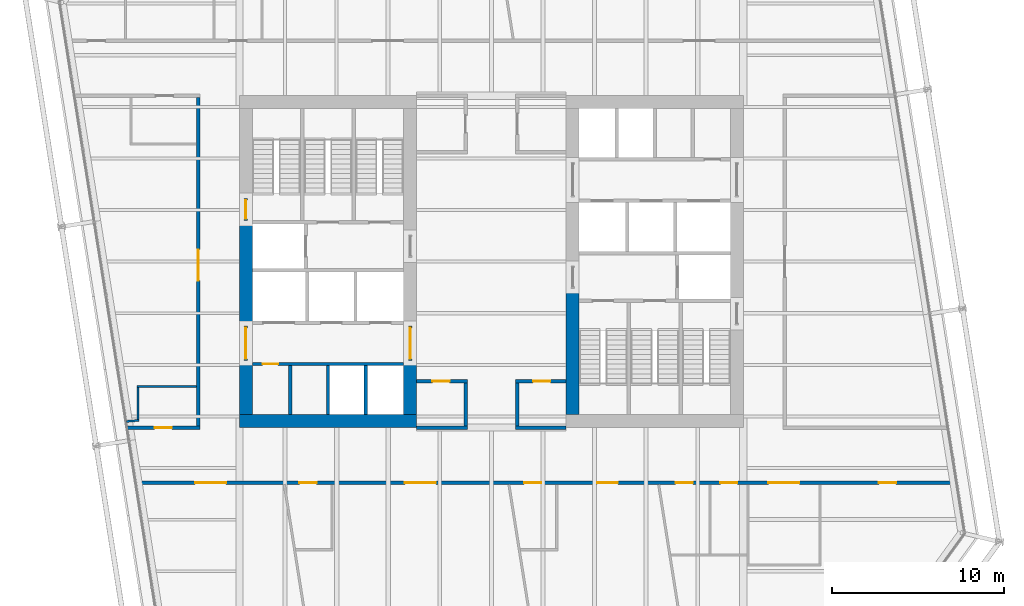
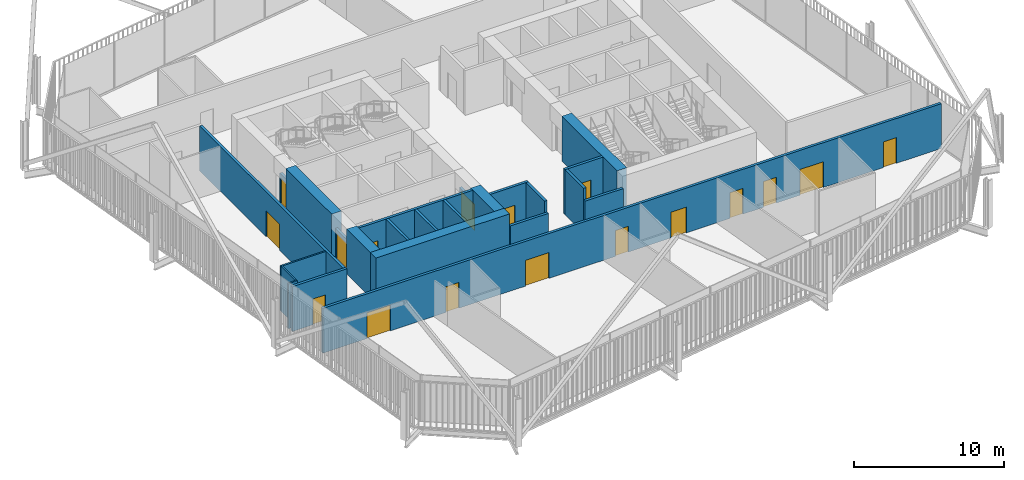
# One storey, part 18 of 22: 24 walls, 17 doors, 17 openings.
"""IFC4 building model written with IfcOpenShell, lengths in metres."""

from ifc_helpers import new_model, si_unit, direction, frame, frame_2d, origin, place, context, subcontext, project, spatial, rectangle, extrude, material, layer, layer_set, type_object, element, fill, save


model = new_model("IFC4")

# Units and contexts
model_context = context("Model", 3, precision=1e-05, world=origin(), true_north=direction((0.0, 1.0)))
body_context = subcontext(model_context, "Body", "Model", "MODEL_VIEW")
ifc_project = project(units=[si_unit("LENGTHUNIT", "METRE"), si_unit("AREAUNIT", "SQUARE_METRE"), si_unit("VOLUMEUNIT", "CUBIC_METRE"), si_unit("PLANEANGLEUNIT", "RADIAN"), si_unit("MASSUNIT", "GRAM", prefix="KILO")], contexts=[model_context])

# Site, building, storey
site_placement = place(None, origin())
site = spatial("IfcSite", under=ifc_project, at=site_placement, CompositionType="ELEMENT")
building_placement = place(site_placement, origin())
building = spatial("IfcBuilding", under=site, at=building_placement, Name="Millrace Tower", CompositionType="ELEMENT")
storey_placement = place(building_placement, frame((0.0, 0.0, 168.5)))
storey = spatial("IfcBuildingStorey", under=building, at=storey_placement, Name="L38", CompositionType="ELEMENT", Elevation=168.5)

# Walls
ifc_material_1 = material(Name="Concrete C70", Category="concrete")
ifc_layer_1 = layer(ifc_material_1, 0.75)
ifc_layer_set_1 = layer_set([ifc_layer_1], Name="Concrete C70")
wall_type_1 = type_object("IfcWallType", Name="Core wall 750 Concrete C70", PredefinedType="SHEAR", material=ifc_layer_set_1)
wall_1_placement = place(storey_placement, frame((-14.64990234375, -9.27490234375, 0.0), z_axis=(0.0, 0.0, 1.0), x_axis=(1.0, 0.0, 0.0)))
element("IfcWall", 1, at=wall_1_placement, inside=storey, type_object=wall_type_1, Name="Core wall W L38", PredefinedType="SHEAR", context=body_context, shape_type="SweptSolid", body=[
    extrude(rectangle(XDim=10.2998046875, YDim=0.75, at=frame_2d((5.14990234375, 0.0))), origin(), (0.0, 0.0, 1.0), 3.64990234375),
])
wall_2_placement = place(storey_placement, frame((-14.27490234375, -8.89990234375, 0.0), z_axis=(0.0, 0.0, 1.0), x_axis=(0.0, 1.0, 0.0)))
element("IfcWall", 2, at=wall_2_placement, inside=storey, type_object=wall_type_1, Name="Core wall W L38", PredefinedType="SHEAR", context=body_context, shape_type="SweptSolid", body=[
    extrude(rectangle(XDim=3.14990234375, YDim=0.75, at=frame_2d((1.574951171875, 0.0))), origin(), (0.0, 0.0, 1.0), 3.64990234375),
])
wall_3_placement = place(storey_placement, frame((-14.27490234375, -3.75, 0.0), z_axis=(0.0, 0.0, 1.0), x_axis=(0.0, 1.0, 0.0)))
element("IfcWall", 3, at=wall_3_placement, inside=storey, type_object=wall_type_1, Name="Core wall W L38", PredefinedType="SHEAR", context=body_context, shape_type="SweptSolid", body=[
    extrude(rectangle(XDim=6.1298828125, YDim=0.75, at=frame_2d((3.06494140625, 0.0))), origin(), (0.0, 0.0, 1.0), 3.64990234375),
])
wall_4_placement = place(storey_placement, frame((-4.72509765625, -8.89990234375, 0.0), z_axis=(0.0, 0.0, 1.0), x_axis=(0.0, 1.0, 0.0)))
element("IfcWall", 4, at=wall_4_placement, inside=storey, type_object=wall_type_1, Name="Core wall W L38", PredefinedType="SHEAR", context=body_context, shape_type="SweptSolid", body=[
    extrude(rectangle(XDim=3.14990234375, YDim=0.75, at=frame_2d((1.574951171875, 0.0))), origin(), (0.0, 0.0, 1.0), 3.64990234375),
])
wall_5_placement = place(storey_placement, frame((4.72509765625, -1.550048828125, 0.0), z_axis=(0.0, 0.0, 1.0), x_axis=(0.0, -1.0, 0.0)))
element("IfcWall", 5, at=wall_5_placement, inside=storey, type_object=wall_type_1, Name="Core wall E L38", PredefinedType="SHEAR", context=body_context, shape_type="SweptSolid", body=[
    extrude(rectangle(XDim=7.349853515625, YDim=0.75, at=frame_2d((3.6748046875, 0.0))), origin(), (0.0, 0.0, 1.0), 3.64990234375),
])

# Wall, openings, doors
ifc_material_2 = material(Name="Masonry partition, fire-rated", Category="masonry")
ifc_layer_2 = layer(ifc_material_2, 0.199951171875)
ifc_layer_set_2 = layer_set([ifc_layer_2], Name="Masonry partition, fire-rated")
wall_type_2 = type_object("IfcWallType", Name="Corridor wall 200", PredefinedType="PARTITIONING", material=ifc_layer_set_2)
wall_6_placement = place(storey_placement, frame((-20.6435546875, -12.85009765625, 0.0), z_axis=(0.0, 0.0, 1.0), x_axis=(1.0, 0.0, 0.0)))
wall_6 = element("IfcWall", 6, at=wall_6_placement, inside=storey, type_object=wall_type_2, Name="Corridor wall L38", PredefinedType="PARTITIONING", context=body_context, shape_type="SweptSolid", body=[
    extrude(rectangle(XDim=47.646728515625, YDim=0.199951171875, at=frame_2d((23.8232421875, 0.0))), origin(), (0.0, 0.0, 1.0), 3.64990234375),
])
opening_1_placement = place(wall_6_placement, frame((3.41796875, 0.0, 0.0)))
opening_1 = element("IfcOpeningElement", 7, at=opening_1_placement, cuts=wall_6, Name="Opening 38-P010", PredefinedType="OPENING", context=body_context, shape_type="SweptSolid", body=[
    extrude(rectangle(XDim=1.800048828125, YDim=2.10009765625, at=frame_2d((0.89990234375, 1.050048828125))), frame((0.0, 0.10986328125, 0.0), z_axis=(0.0, -1.0, 0.0), x_axis=(1.0, 0.0, 0.0)), (0.0, 0.0, 1.0), 0.219970703125),
])
opening_2_placement = place(wall_6_placement, frame((15.615966796875, 0.0, 0.0)))
opening_2 = element("IfcOpeningElement", 8, at=opening_2_placement, cuts=wall_6, Name="Opening 38-P011", PredefinedType="OPENING", context=body_context, shape_type="SweptSolid", body=[
    extrude(rectangle(XDim=1.800048828125, YDim=2.10009765625, at=frame_2d((0.89990234375, 1.050048828125))), frame((0.0, 0.10986328125, 0.0), z_axis=(0.0, -1.0, 0.0), x_axis=(1.0, 0.0, 0.0)), (0.0, 0.0, 1.0), 0.219970703125),
])
opening_3_placement = place(wall_6_placement, frame((9.485595703125, 0.0, 0.0)))
opening_3 = element("IfcOpeningElement", 9, at=opening_3_placement, cuts=wall_6, Name="Opening 38-P012", PredefinedType="OPENING", context=body_context, shape_type="SweptSolid", body=[
    extrude(rectangle(XDim=1.0, YDim=2.10009765625, at=frame_2d((0.5, 1.050048828125))), frame((0.0, 0.10986328125, 0.0), z_axis=(0.0, -1.0, 0.0), x_axis=(1.0, 0.0, 0.0)), (0.0, 0.0, 1.0), 0.219970703125),
])
opening_4_placement = place(wall_6_placement, frame((26.800048828125, 0.0, 0.0)))
opening_4 = element("IfcOpeningElement", 10, at=opening_4_placement, cuts=wall_6, Name="Opening 38-P013", PredefinedType="OPENING", context=body_context, shape_type="SweptSolid", body=[
    extrude(rectangle(XDim=1.199951171875, YDim=2.10009765625, at=frame_2d((0.60009765625, 1.050048828125))), frame((0.0, 0.10986328125, 0.0), z_axis=(0.0, -1.0, 0.0), x_axis=(1.0, 0.0, 0.0)), (0.0, 0.0, 1.0), 0.219970703125),
])
opening_5_placement = place(wall_6_placement, frame((22.54638671875, 0.0, 0.0)))
opening_5 = element("IfcOpeningElement", 11, at=opening_5_placement, cuts=wall_6, Name="Opening 38-P014", PredefinedType="OPENING", context=body_context, shape_type="SweptSolid", body=[
    extrude(rectangle(XDim=1.0, YDim=2.10009765625, at=frame_2d((0.5, 1.050048828125))), frame((0.0, 0.10986328125, 0.0), z_axis=(0.0, -1.0, 0.0), x_axis=(1.0, 0.0, 0.0)), (0.0, 0.0, 1.0), 0.219970703125),
])
opening_6_placement = place(wall_6_placement, frame((43.174560546875, 0.0, 0.0)))
opening_6 = element("IfcOpeningElement", 12, at=opening_6_placement, cuts=wall_6, Name="Opening 38-P015", PredefinedType="OPENING", context=body_context, shape_type="SweptSolid", body=[
    extrude(rectangle(XDim=1.0, YDim=2.10009765625, at=frame_2d((0.5, 1.050048828125))), frame((0.0, 0.10986328125, 0.0), z_axis=(0.0, -1.0, 0.0), x_axis=(1.0, 0.0, 0.0)), (0.0, 0.0, 1.0), 0.219970703125),
])
opening_7_placement = place(wall_6_placement, frame((31.353515625, 0.0, 0.0)))
opening_7 = element("IfcOpeningElement", 13, at=opening_7_placement, cuts=wall_6, Name="Opening 38-P016", PredefinedType="OPENING", context=body_context, shape_type="SweptSolid", body=[
    extrude(rectangle(XDim=1.0, YDim=2.10009765625, at=frame_2d((0.5, 1.050048828125))), frame((0.0, 0.10986328125, 0.0), z_axis=(0.0, -1.0, 0.0), x_axis=(1.0, 0.0, 0.0)), (0.0, 0.0, 1.0), 0.219970703125),
])
opening_8_placement = place(wall_6_placement, frame((33.95361328125, 0.0, 0.0)))
opening_8 = element("IfcOpeningElement", 14, at=opening_8_placement, cuts=wall_6, Name="Opening 38-P017", PredefinedType="OPENING", context=body_context, shape_type="SweptSolid", body=[
    extrude(rectangle(XDim=1.0, YDim=2.10009765625, at=frame_2d((0.5, 1.050048828125))), frame((0.0, 0.10986328125, 0.0), z_axis=(0.0, -1.0, 0.0), x_axis=(1.0, 0.0, 0.0)), (0.0, 0.0, 1.0), 0.219970703125),
])
opening_9_placement = place(wall_6_placement, frame((36.75341796875, 0.0, 0.0)))
opening_9 = element("IfcOpeningElement", 15, at=opening_9_placement, cuts=wall_6, Name="Opening 38-P018", PredefinedType="OPENING", context=body_context, shape_type="SweptSolid", body=[
    extrude(rectangle(XDim=1.800048828125, YDim=2.10009765625, at=frame_2d((0.89990234375, 1.050048828125))), frame((0.0, 0.10986328125, 0.0), z_axis=(0.0, -1.0, 0.0), x_axis=(1.0, 0.0, 0.0)), (0.0, 0.0, 1.0), 0.219970703125),
])
ifc_material_3 = material(Name="Steel door set, fire-rated", Category="steel")
door_type_1 = type_object("IfcDoorType", Name="Corridor door 1000 x 2100", OperationType="SINGLE_SWING_LEFT", PredefinedType="DOOR", material=ifc_material_3)
door_1_placement = place(opening_3_placement, frame((1.0, 0.0, 0.0), z_axis=(0.0, 0.0, 1.0), x_axis=(-1.0, 0.0, 0.0)))
door_1 = element("IfcDoor", 16, at=door_1_placement, inside=storey, type_object=door_type_1, Name="Door 38-P012", OperationType="SINGLE_SWING_RIGHT", OverallHeight=2.10009765625, OverallWidth=1.0, PredefinedType="DOOR", context=body_context, shape_type="SweptSolid", body=[
    extrude(rectangle(XDim=1.0, YDim=2.10009765625, at=frame_2d((0.5, 1.050048828125))), frame((0.0, 0.02490234375, 0.0), z_axis=(0.0, -1.0, 0.0), x_axis=(1.0, 0.0, 0.0)), (0.0, 0.0, 1.0), 0.050048828125),
])
fill(opening_3, door_1)
door_2_placement = place(opening_5_placement, frame((1.0, 0.0, 0.0), z_axis=(0.0, 0.0, 1.0), x_axis=(-1.0, 0.0, 0.0)))
door_2 = element("IfcDoor", 17, at=door_2_placement, inside=storey, type_object=door_type_1, Name="Door 38-P014", OperationType="SINGLE_SWING_RIGHT", OverallHeight=2.10009765625, OverallWidth=1.0, PredefinedType="DOOR", context=body_context, shape_type="SweptSolid", body=[
    extrude(rectangle(XDim=1.0, YDim=2.10009765625, at=frame_2d((0.5, 1.050048828125))), frame((0.0, 0.02490234375, 0.0), z_axis=(0.0, -1.0, 0.0), x_axis=(1.0, 0.0, 0.0)), (0.0, 0.0, 1.0), 0.050048828125),
])
fill(opening_5, door_2)
door_3_placement = place(opening_6_placement, frame((1.0, 0.0, 0.0), z_axis=(0.0, 0.0, 1.0), x_axis=(-1.0, 0.0, 0.0)))
door_3 = element("IfcDoor", 18, at=door_3_placement, inside=storey, type_object=door_type_1, Name="Door 38-P015", OperationType="SINGLE_SWING_LEFT", OverallHeight=2.10009765625, OverallWidth=1.0, PredefinedType="DOOR", context=body_context, shape_type="SweptSolid", body=[
    extrude(rectangle(XDim=1.0, YDim=2.10009765625, at=frame_2d((0.5, 1.050048828125))), frame((0.0, 0.02490234375, 0.0), z_axis=(0.0, -1.0, 0.0), x_axis=(1.0, 0.0, 0.0)), (0.0, 0.0, 1.0), 0.050048828125),
])
fill(opening_6, door_3)
door_4_placement = place(opening_7_placement, frame((1.0, 0.0, 0.0), z_axis=(0.0, 0.0, 1.0), x_axis=(-1.0, 0.0, 0.0)))
door_4 = element("IfcDoor", 19, at=door_4_placement, inside=storey, type_object=door_type_1, Name="Door 38-P016", OperationType="SINGLE_SWING_LEFT", OverallHeight=2.10009765625, OverallWidth=1.0, PredefinedType="DOOR", context=body_context, shape_type="SweptSolid", body=[
    extrude(rectangle(XDim=1.0, YDim=2.10009765625, at=frame_2d((0.5, 1.050048828125))), frame((0.0, 0.02490234375, 0.0), z_axis=(0.0, -1.0, 0.0), x_axis=(1.0, 0.0, 0.0)), (0.0, 0.0, 1.0), 0.050048828125),
])
fill(opening_7, door_4)
door_5_placement = place(opening_8_placement, frame((1.0, 0.0, 0.0), z_axis=(0.0, 0.0, 1.0), x_axis=(-1.0, 0.0, 0.0)))
door_5 = element("IfcDoor", 20, at=door_5_placement, inside=storey, type_object=door_type_1, Name="Door 38-P017", OperationType="SINGLE_SWING_LEFT", OverallHeight=2.10009765625, OverallWidth=1.0, PredefinedType="DOOR", context=body_context, shape_type="SweptSolid", body=[
    extrude(rectangle(XDim=1.0, YDim=2.10009765625, at=frame_2d((0.5, 1.050048828125))), frame((0.0, 0.02490234375, 0.0), z_axis=(0.0, -1.0, 0.0), x_axis=(1.0, 0.0, 0.0)), (0.0, 0.0, 1.0), 0.050048828125),
])
fill(opening_8, door_5)
ifc_material_4 = material(Name="Steel door set, fire-rated", Category="steel")
door_type_2 = type_object("IfcDoorType", Name="Corridor door 1200 x 2100", OperationType="SINGLE_SWING_LEFT", PredefinedType="DOOR", material=ifc_material_4)
door_6_placement = place(opening_4_placement, frame((1.199951171875, 0.0, 0.0), z_axis=(0.0, 0.0, 1.0), x_axis=(-1.0, 0.0, 0.0)))
door_6 = element("IfcDoor", 21, at=door_6_placement, inside=storey, type_object=door_type_2, Name="Door 38-P013", OperationType="SINGLE_SWING_LEFT", OverallHeight=2.10009765625, OverallWidth=1.199951171875, PredefinedType="DOOR", context=body_context, shape_type="SweptSolid", body=[
    extrude(rectangle(XDim=1.199951171875, YDim=2.10009765625, at=frame_2d((0.60009765625, 1.050048828125))), frame((0.0, 0.02490234375, 0.0), z_axis=(0.0, -1.0, 0.0), x_axis=(1.0, 0.0, 0.0)), (0.0, 0.0, 1.0), 0.050048828125),
])
fill(opening_4, door_6)
ifc_material_5 = material(Name="Steel door set, fire-rated", Category="steel")
door_type_3 = type_object("IfcDoorType", Name="Corridor door 1800 x 2100", OperationType="DOUBLE_DOOR_SINGLE_SWING", PredefinedType="DOOR", material=ifc_material_5)
door_7_placement = place(opening_1_placement, frame((1.800048828125, 0.0, 0.0), z_axis=(0.0, 0.0, 1.0), x_axis=(-1.0, 0.0, 0.0)))
door_7 = element("IfcDoor", 22, at=door_7_placement, inside=storey, type_object=door_type_3, Name="Door 38-P010", OperationType="DOUBLE_DOOR_SINGLE_SWING", OverallHeight=2.10009765625, OverallWidth=1.800048828125, PredefinedType="DOOR", context=body_context, shape_type="SweptSolid", body=[
    extrude(rectangle(XDim=1.800048828125, YDim=2.10009765625, at=frame_2d((0.89990234375, 1.050048828125))), frame((0.0, 0.02490234375, 0.0), z_axis=(0.0, -1.0, 0.0), x_axis=(1.0, 0.0, 0.0)), (0.0, 0.0, 1.0), 0.050048828125),
])
fill(opening_1, door_7)
door_8_placement = place(opening_2_placement, frame((1.800048828125, 0.0, 0.0), z_axis=(0.0, 0.0, 1.0), x_axis=(-1.0, 0.0, 0.0)))
door_8 = element("IfcDoor", 23, at=door_8_placement, inside=storey, type_object=door_type_3, Name="Door 38-P011", OperationType="DOUBLE_DOOR_SINGLE_SWING", OverallHeight=2.10009765625, OverallWidth=1.800048828125, PredefinedType="DOOR", context=body_context, shape_type="SweptSolid", body=[
    extrude(rectangle(XDim=1.800048828125, YDim=2.10009765625, at=frame_2d((0.89990234375, 1.050048828125))), frame((0.0, 0.02490234375, 0.0), z_axis=(0.0, -1.0, 0.0), x_axis=(1.0, 0.0, 0.0)), (0.0, 0.0, 1.0), 0.050048828125),
])
fill(opening_2, door_8)
door_9_placement = place(opening_9_placement, frame((1.800048828125, 0.0, 0.0), z_axis=(0.0, 0.0, 1.0), x_axis=(-1.0, 0.0, 0.0)))
door_9 = element("IfcDoor", 24, at=door_9_placement, inside=storey, type_object=door_type_3, Name="Door 38-P018", OperationType="DOUBLE_DOOR_SINGLE_SWING", OverallHeight=2.10009765625, OverallWidth=1.800048828125, PredefinedType="DOOR", context=body_context, shape_type="SweptSolid", body=[
    extrude(rectangle(XDim=1.800048828125, YDim=2.10009765625, at=frame_2d((0.89990234375, 1.050048828125))), frame((0.0, 0.02490234375, 0.0), z_axis=(0.0, -1.0, 0.0), x_axis=(1.0, 0.0, 0.0)), (0.0, 0.0, 1.0), 0.050048828125),
])
fill(opening_9, door_9)

# Wall, opening, door
wall_7_placement = place(storey_placement, frame((-21.150390625, -9.64990234375, 0.0), z_axis=(0.0, 0.0, 1.0), x_axis=(1.0, 0.0, 0.0)))
wall_7 = element("IfcWall", 25, at=wall_7_placement, inside=storey, type_object=wall_type_2, Name="Corridor wall L38", PredefinedType="PARTITIONING", context=body_context, shape_type="SweptSolid", body=[
    extrude(rectangle(XDim=4.200439453125, YDim=0.199951171875, at=frame_2d((2.10009765625, 0.0))), origin(), (0.0, 0.0, 1.0), 3.64990234375),
])
opening_10_placement = place(wall_7_placement, frame((1.575439453125, 0.0, 0.0)))
opening_10 = element("IfcOpeningElement", 26, at=opening_10_placement, cuts=wall_7, Name="Opening 38-P019", PredefinedType="OPENING", context=body_context, shape_type="SweptSolid", body=[
    extrude(rectangle(XDim=1.0, YDim=2.10009765625, at=frame_2d((0.5, 1.050048828125))), frame((0.0, 0.10986328125, 0.0), z_axis=(0.0, -1.0, 0.0), x_axis=(1.0, 0.0, 0.0)), (0.0, 0.0, 1.0), 0.219970703125),
])
door_10_placement = place(opening_10_placement, origin())
door_10 = element("IfcDoor", 27, at=door_10_placement, inside=storey, type_object=door_type_1, Name="Door 38-P019", OperationType="SINGLE_SWING_RIGHT", OverallHeight=2.10009765625, OverallWidth=1.0, PredefinedType="DOOR", context=body_context, shape_type="SweptSolid", body=[
    extrude(rectangle(XDim=1.0, YDim=2.10009765625, at=frame_2d((0.5, 1.050048828125))), frame((0.0, 0.02490234375, 0.0), z_axis=(0.0, -1.0, 0.0), x_axis=(1.0, 0.0, 0.0)), (0.0, 0.0, 1.0), 0.050048828125),
])
fill(opening_10, door_10)

# Walls
for number, where, z_axis, x_axis, name in (
    (28, (-4.35009765625, -9.64990234375, 0.0), (0.0, 0.0, 1.0), (1.0, 0.0, 0.0), "Corridor wall L38"),
    (29, (1.39990234375, -9.64990234375, 0.0), (0.0, 0.0, 1.0), (1.0, 0.0, 0.0), "Corridor wall L38"),
):
    element("IfcWall", number, at=place(storey_placement, frame(where, z_axis=z_axis, x_axis=x_axis)), inside=storey, type_object=wall_type_2, Name=name, PredefinedType="PARTITIONING", context=body_context, shape_type="SweptSolid", body=[
        extrude(rectangle(XDim=2.9501953125, YDim=0.199951171875, at=frame_2d((1.47509765625, 0.0))), origin(), (0.0, 0.0, 1.0), 2.722900390625),
    ])

# Wall, opening, door
wall_8_placement = place(storey_placement, frame((-4.35009765625, -6.949951171875, 0.0), z_axis=(0.0, 0.0, 1.0), x_axis=(1.0, 0.0, 0.0)))
wall_8 = element("IfcWall", 30, at=wall_8_placement, inside=storey, type_object=wall_type_2, Name="Corridor wall L38", PredefinedType="PARTITIONING", context=body_context, shape_type="SweptSolid", body=[
    extrude(rectangle(XDim=2.9501953125, YDim=0.199951171875, at=frame_2d((1.47509765625, 0.0))), origin(), (0.0, 0.0, 1.0), 3.64990234375),
])
opening_11_placement = place(wall_8_placement, frame((0.925048828125, 0.0, 0.0)))
opening_11 = element("IfcOpeningElement", 31, at=opening_11_placement, cuts=wall_8, Name="Opening 38-P003", PredefinedType="OPENING", context=body_context, shape_type="SweptSolid", body=[
    extrude(rectangle(XDim=1.0, YDim=2.10009765625, at=frame_2d((0.5, 1.050048828125))), frame((0.0, 0.10986328125, 0.0), z_axis=(0.0, -1.0, 0.0), x_axis=(1.0, 0.0, 0.0)), (0.0, 0.0, 1.0), 0.219970703125),
])
door_11_placement = place(opening_11_placement, frame((1.0, 0.0, 0.0), z_axis=(0.0, 0.0, 1.0), x_axis=(-1.0, 0.0, 0.0)))
door_11 = element("IfcDoor", 32, at=door_11_placement, inside=storey, type_object=door_type_1, Name="Door 38-P003", OperationType="SINGLE_SWING_RIGHT", OverallHeight=2.10009765625, OverallWidth=1.0, PredefinedType="DOOR", context=body_context, shape_type="SweptSolid", body=[
    extrude(rectangle(XDim=1.0, YDim=2.10009765625, at=frame_2d((0.5, 1.050048828125))), frame((0.0, 0.02490234375, 0.0), z_axis=(0.0, -1.0, 0.0), x_axis=(1.0, 0.0, 0.0)), (0.0, 0.0, 1.0), 0.050048828125),
])
fill(opening_11, door_11)

wall_9_placement = place(storey_placement, frame((1.39990234375, -6.949951171875, 0.0), z_axis=(0.0, 0.0, 1.0), x_axis=(1.0, 0.0, 0.0)))
wall_9 = element("IfcWall", 33, at=wall_9_placement, inside=storey, type_object=wall_type_2, Name="Corridor wall L38", PredefinedType="PARTITIONING", context=body_context, shape_type="SweptSolid", body=[
    extrude(rectangle(XDim=2.9501953125, YDim=0.199951171875, at=frame_2d((1.47509765625, 0.0))), origin(), (0.0, 0.0, 1.0), 3.64990234375),
])
opening_12_placement = place(wall_9_placement, frame((1.02490234375, 0.0, 0.0)))
opening_12 = element("IfcOpeningElement", 34, at=opening_12_placement, cuts=wall_9, Name="Opening 38-P004", PredefinedType="OPENING", context=body_context, shape_type="SweptSolid", body=[
    extrude(rectangle(XDim=1.0, YDim=2.10009765625, at=frame_2d((0.5, 1.050048828125))), frame((0.0, 0.10986328125, 0.0), z_axis=(0.0, -1.0, 0.0), x_axis=(1.0, 0.0, 0.0)), (0.0, 0.0, 1.0), 0.219970703125),
])
door_12_placement = place(opening_12_placement, frame((1.0, 0.0, 0.0), z_axis=(0.0, 0.0, 1.0), x_axis=(-1.0, 0.0, 0.0)))
door_12 = element("IfcDoor", 35, at=door_12_placement, inside=storey, type_object=door_type_1, Name="Door 38-P004", OperationType="SINGLE_SWING_RIGHT", OverallHeight=2.10009765625, OverallWidth=1.0, PredefinedType="DOOR", context=body_context, shape_type="SweptSolid", body=[
    extrude(rectangle(XDim=1.0, YDim=2.10009765625, at=frame_2d((0.5, 1.050048828125))), frame((0.0, 0.02490234375, 0.0), z_axis=(0.0, -1.0, 0.0), x_axis=(1.0, 0.0, 0.0)), (0.0, 0.0, 1.0), 0.050048828125),
])
fill(opening_12, door_12)

# Walls
for number, where, z_axis, x_axis, name in (
    (36, (1.5, -9.550048828125, 0.0), (0.0, 0.0, 1.0), (0.0, 1.0, 0.0), "Corridor wall L38"),
    (37, (-1.5, -9.550048828125, 0.0), (0.0, 0.0, 1.0), (0.0, 1.0, 0.0), "Corridor wall L38"),
):
    element("IfcWall", number, at=place(storey_placement, frame(where, z_axis=z_axis, x_axis=x_axis)), inside=storey, type_object=wall_type_2, Name=name, PredefinedType="PARTITIONING", context=body_context, shape_type="SweptSolid", body=[
        extrude(rectangle(XDim=2.5, YDim=0.199951171875, at=frame_2d((1.25, 0.0))), origin(), (0.0, 0.0, 1.0), 3.64990234375),
    ])

# Wall, opening, door
wall_10_placement = place(storey_placement, frame((-17.050048828125, -9.550048828125, 0.0), z_axis=(0.0, 0.0, 1.0), x_axis=(0.0, 1.0, 0.0)))
wall_10 = element("IfcWall", 38, at=wall_10_placement, inside=storey, type_object=wall_type_2, Name="Corridor wall L38", PredefinedType="PARTITIONING", context=body_context, shape_type="SweptSolid", body=[
    extrude(rectangle(XDim=19.10009765625, YDim=0.199951171875, at=frame_2d((9.550048828125, 0.0))), origin(), (0.0, 0.0, 1.0), 3.64990234375),
])
opening_13_placement = place(wall_10_placement, frame((8.449951171875, 0.0, 0.0)))
opening_13 = element("IfcOpeningElement", 39, at=opening_13_placement, cuts=wall_10, Name="Opening 38-P020", PredefinedType="OPENING", context=body_context, shape_type="SweptSolid", body=[
    extrude(rectangle(XDim=1.800048828125, YDim=2.10009765625, at=frame_2d((0.89990234375, 1.050048828125))), frame((0.0, 0.10986328125, 0.0), z_axis=(0.0, -1.0, 0.0), x_axis=(1.0, 0.0, 0.0)), (0.0, 0.0, 1.0), 0.219970703125),
])
door_13_placement = place(opening_13_placement, origin())
door_13 = element("IfcDoor", 40, at=door_13_placement, inside=storey, type_object=door_type_3, Name="Door 38-P020", OperationType="DOUBLE_DOOR_SINGLE_SWING", OverallHeight=2.10009765625, OverallWidth=1.800048828125, PredefinedType="DOOR", context=body_context, shape_type="SweptSolid", body=[
    extrude(rectangle(XDim=1.800048828125, YDim=2.10009765625, at=frame_2d((0.89990234375, 1.050048828125))), frame((0.0, 0.02490234375, 0.0), z_axis=(0.0, -1.0, 0.0), x_axis=(1.0, 0.0, 0.0)), (0.0, 0.0, 1.0), 0.050048828125),
])
fill(opening_13, door_13)

ifc_material_6 = material(Name="Masonry partition, fire-rated", Category="masonry")
ifc_layer_3 = layer(ifc_material_6, 0.199951171875)
ifc_layer_set_3 = layer_set([ifc_layer_3], Name="Masonry partition, fire-rated")
wall_type_3 = type_object("IfcWallType", Name="Lift shaft wall 200", PredefinedType="PARTITIONING", material=ifc_layer_set_3)
wall_11_placement = place(storey_placement, frame((-13.89990234375, -5.949951171875, 0.0), z_axis=(0.0, 0.0, 1.0), x_axis=(1.0, 0.0, 0.0)))
wall_11 = element("IfcWall", 41, at=wall_11_placement, inside=storey, type_object=wall_type_3, Name="Lift shaft wall W L38", PredefinedType="PARTITIONING", context=body_context, shape_type="SweptSolid", body=[
    extrude(rectangle(XDim=8.7998046875, YDim=0.199951171875, at=frame_2d((4.39990234375, 0.0))), origin(), (0.0, 0.0, 1.0), 3.64990234375),
])
opening_14_placement = place(wall_11_placement, frame((0.60009765625, 0.0, 0.0)))
opening_14 = element("IfcOpeningElement", 42, at=opening_14_placement, cuts=wall_11, Name="Opening 38-C005", PredefinedType="OPENING", context=body_context, shape_type="SweptSolid", body=[
    extrude(rectangle(XDim=0.89990234375, YDim=2.10009765625, at=frame_2d((0.449951171875, 1.050048828125))), frame((0.0, 0.10986328125, 0.0), z_axis=(0.0, -1.0, 0.0), x_axis=(1.0, 0.0, 0.0)), (0.0, 0.0, 1.0), 0.219970703125),
])
ifc_material_7 = material(Name="Steel door, fire-rated", Category="steel")
door_type_4 = type_object("IfcDoorType", Name="Service room door 900 x 2100", OperationType="SINGLE_SWING_LEFT", PredefinedType="DOOR", material=ifc_material_7)
door_14_placement = place(opening_14_placement, frame((0.89990234375, 0.0, 0.0), z_axis=(0.0, 0.0, 1.0), x_axis=(-1.0, 0.0, 0.0)))
door_14 = element("IfcDoor", 43, at=door_14_placement, inside=storey, type_object=door_type_4, Name="Service room door 38-C005", OperationType="SINGLE_SWING_RIGHT", OverallHeight=2.10009765625, OverallWidth=0.89990234375, PredefinedType="DOOR", context=body_context, shape_type="SweptSolid", body=[
    extrude(rectangle(XDim=0.89990234375, YDim=2.10009765625, at=frame_2d((0.449951171875, 1.050048828125))), frame((0.0, 0.02490234375, 0.0), z_axis=(0.0, -1.0, 0.0), x_axis=(1.0, 0.0, 0.0)), (0.0, 0.0, 1.0), 0.050048828125),
])
fill(opening_14, door_14)

# Walls
for number, where, z_axis, x_axis, name in (
    (44, (-11.699951171875, -8.89990234375, 0.0), (0.0, 0.0, 1.0), (0.0, 1.0, 0.0), "Lift shaft wall W L38"),
    (45, (-9.5, -8.89990234375, 0.0), (0.0, 0.0, 1.0), (0.0, 1.0, 0.0), "Lift shaft wall W L38"),
    (46, (-7.300048828125, -8.89990234375, 0.0), (0.0, 0.0, 1.0), (0.0, 1.0, 0.0), "Lift shaft wall W L38"),
):
    element("IfcWall", number, at=place(storey_placement, frame(where, z_axis=z_axis, x_axis=x_axis)), inside=storey, type_object=wall_type_3, Name=name, PredefinedType="PARTITIONING", context=body_context, shape_type="SweptSolid", body=[
        extrude(rectangle(XDim=2.849853515625, YDim=0.199951171875, at=frame_2d((1.4248046875, 0.0))), origin(), (0.0, 0.0, 1.0), 3.64990234375),
    ])

# Wall, opening, door
ifc_material_8 = material(Name="Masonry partition, fire-rated", Category="masonry")
ifc_layer_4 = layer(ifc_material_8, 0.199951171875)
ifc_layer_set_4 = layer_set([ifc_layer_4], Name="Masonry partition, fire-rated")
wall_type_4 = type_object("IfcWallType", Name="Lobby wall 200", PredefinedType="PARTITIONING", material=ifc_layer_set_4)
wall_12_placement = place(storey_placement, frame((-14.27490234375, -5.75, 0.0), z_axis=(0.0, 0.0, 1.0), x_axis=(0.0, 1.0, 0.0)))
wall_12 = element("IfcWall", 47, at=wall_12_placement, inside=storey, type_object=wall_type_4, Name="Lobby wall W L38", PredefinedType="PARTITIONING", context=body_context, shape_type="SweptSolid", body=[
    extrude(rectangle(XDim=2.0, YDim=0.199951171875, at=frame_2d((1.0, 0.0))), origin(), (0.0, 0.0, 1.0), 2.39990234375),
])
opening_15_placement = place(wall_12_placement, frame((0.10009765625, 0.0, 0.0)))
opening_15 = element("IfcOpeningElement", 48, at=opening_15_placement, cuts=wall_12, Name="Opening 38-C001", PredefinedType="OPENING", context=body_context, shape_type="SweptSolid", body=[
    extrude(rectangle(XDim=1.800048828125, YDim=2.10009765625, at=frame_2d((0.89990234375, 1.050048828125))), frame((0.0, 0.10986328125, 0.0), z_axis=(0.0, -1.0, 0.0), x_axis=(1.0, 0.0, 0.0)), (0.0, 0.0, 1.0), 0.219970703125),
])
ifc_material_9 = material(Name="Steel door, fire-rated", Category="steel")
door_type_5 = type_object("IfcDoorType", Name="Lobby door 1800 x 2100", OperationType="DOUBLE_DOOR_SINGLE_SWING", PredefinedType="DOOR", material=ifc_material_9)
door_15_placement = place(opening_15_placement, origin())
door_15 = element("IfcDoor", 49, at=door_15_placement, inside=storey, type_object=door_type_5, Name="Lobby door 38-C001", OperationType="DOUBLE_DOOR_SINGLE_SWING", OverallHeight=2.10009765625, OverallWidth=1.800048828125, PredefinedType="DOOR", context=body_context, shape_type="SweptSolid", body=[
    extrude(rectangle(XDim=1.800048828125, YDim=2.10009765625, at=frame_2d((0.89990234375, 1.050048828125))), frame((0.0, 0.02490234375, 0.0), z_axis=(0.0, -1.0, 0.0), x_axis=(1.0, 0.0, 0.0)), (0.0, 0.0, 1.0), 0.050048828125),
])
fill(opening_15, door_15)

wall_13_placement = place(storey_placement, frame((-4.72509765625, -5.75, 0.0), z_axis=(0.0, 0.0, 1.0), x_axis=(0.0, 1.0, 0.0)))
wall_13 = element("IfcWall", 50, at=wall_13_placement, inside=storey, type_object=wall_type_4, Name="Lobby wall W L38", PredefinedType="PARTITIONING", context=body_context, shape_type="SweptSolid", body=[
    extrude(rectangle(XDim=2.0, YDim=0.199951171875, at=frame_2d((1.0, 0.0))), origin(), (0.0, 0.0, 1.0), 2.39990234375),
])
opening_16_placement = place(wall_13_placement, frame((0.10009765625, 0.0, 0.0)))
opening_16 = element("IfcOpeningElement", 51, at=opening_16_placement, cuts=wall_13, Name="Opening 38-C003", PredefinedType="OPENING", context=body_context, shape_type="SweptSolid", body=[
    extrude(rectangle(XDim=1.800048828125, YDim=2.10009765625, at=frame_2d((0.89990234375, 1.050048828125))), frame((0.0, 0.10986328125, 0.0), z_axis=(0.0, -1.0, 0.0), x_axis=(1.0, 0.0, 0.0)), (0.0, 0.0, 1.0), 0.219970703125),
])
door_16_placement = place(opening_16_placement, origin())
door_16 = element("IfcDoor", 52, at=door_16_placement, inside=storey, type_object=door_type_5, Name="Lobby door 38-C003", OperationType="DOUBLE_DOOR_SINGLE_SWING", OverallHeight=2.10009765625, OverallWidth=1.800048828125, PredefinedType="DOOR", context=body_context, shape_type="SweptSolid", body=[
    extrude(rectangle(XDim=1.800048828125, YDim=2.10009765625, at=frame_2d((0.89990234375, 1.050048828125))), frame((0.0, 0.02490234375, 0.0), z_axis=(0.0, -1.0, 0.0), x_axis=(1.0, 0.0, 0.0)), (0.0, 0.0, 1.0), 0.050048828125),
])
fill(opening_16, door_16)

# Walls
ifc_material_10 = material(Name="Gypsum board partition")
ifc_layer_5 = layer(ifc_material_10, 0.1201171875)
ifc_layer_set_5 = layer_set([ifc_layer_5], Name="Gypsum board partition")
wall_type_5 = type_object("IfcWallType", Name="Partition wall 120", PredefinedType="PARTITIONING", material=ifc_layer_set_5)
wall_14_placement = place(storey_placement, frame((-20.60986328125, -7.25, 0.0), z_axis=(0.0, 0.0, 1.0), x_axis=(1.0, 0.0, 0.0)))
element("IfcWall", 53, at=wall_14_placement, inside=storey, type_object=wall_type_5, Name="Partition wall L38", PredefinedType="PARTITIONING", context=body_context, shape_type="SweptSolid", body=[
    extrude(rectangle(XDim=3.459716796875, YDim=0.1201171875, at=frame_2d((1.72998046875, 0.0))), origin(), (0.0, 0.0, 1.0), 3.64990234375),
])
wall_15_placement = place(storey_placement, frame((-21.20751953125, -9.28857421875, 0.0), z_axis=(0.0, 0.0, 1.0), x_axis=(0.99691705502, 0.078462637039, 0.0)))
element("IfcWall", 54, at=wall_15_placement, inside=storey, type_object=wall_type_5, Name="Partition wall L38", PredefinedType="PARTITIONING", context=body_context, shape_type="SweptSolid", body=[
    extrude(rectangle(XDim=0.71875, YDim=0.1201171875, at=frame_2d((0.359375, 0.0))), origin(), (0.0, 0.0, 1.0), 3.64990234375),
])
wall_16_placement = place(storey_placement, frame((-20.550048828125, -9.17578125, 0.0), z_axis=(0.0, 0.0, 1.0), x_axis=(0.0, 1.0, 0.0)))
element("IfcWall", 55, at=wall_16_placement, inside=storey, type_object=wall_type_5, Name="Partition wall L38", PredefinedType="PARTITIONING", context=body_context, shape_type="SweptSolid", body=[
    extrude(rectangle(XDim=1.86572265625, YDim=0.1201171875, at=frame_2d((0.932861328125, 0.0))), origin(), (0.0, 0.0, 1.0), 3.64990234375),
])

# Wall, opening, door
ifc_material_11 = material(Name="Concrete C40", Category="concrete")
ifc_layer_6 = layer(ifc_material_11, 0.199951171875)
ifc_layer_set_6 = layer_set([ifc_layer_6], Name="Concrete C40")
wall_type_6 = type_object("IfcWallType", Name="Stair enclosure wall 200 Concrete C40", PredefinedType="SHEAR", material=ifc_layer_set_6)
wall_17_placement = place(storey_placement, frame((-14.27490234375, 2.3798828125, 0.0), z_axis=(0.0, 0.0, 1.0), x_axis=(0.0, 1.0, 0.0)))
wall_17 = element("IfcWall", 56, at=wall_17_placement, inside=storey, type_object=wall_type_6, Name="Stair enclosure wall W L38", PredefinedType="SHEAR", context=body_context, shape_type="SweptSolid", body=[
    extrude(rectangle(XDim=1.300048828125, YDim=0.199951171875, at=frame_2d((0.64990234375, 0.0))), origin(), (0.0, 0.0, 1.0), 2.39990234375),
])
opening_17_placement = place(wall_17_placement, frame((0.10009765625, 0.0, 0.0)))
opening_17 = element("IfcOpeningElement", 57, at=opening_17_placement, cuts=wall_17, Name="Opening 38-C002", PredefinedType="OPENING", context=body_context, shape_type="SweptSolid", body=[
    extrude(rectangle(XDim=1.10009765625, YDim=2.10009765625, at=frame_2d((0.550048828125, 1.050048828125))), frame((0.0, 0.10986328125, 0.0), z_axis=(0.0, -1.0, 0.0), x_axis=(1.0, 0.0, 0.0)), (0.0, 0.0, 1.0), 0.219970703125),
])
ifc_material_12 = material(Name="Steel door, fire-rated", Category="steel")
door_type_6 = type_object("IfcDoorType", Name="Stair door 1100 x 2100", OperationType="SINGLE_SWING_LEFT", PredefinedType="DOOR", material=ifc_material_12)
door_17_placement = place(opening_17_placement, origin())
door_17 = element("IfcDoor", 58, at=door_17_placement, inside=storey, type_object=door_type_6, Name="Stair door 38-C002", OperationType="SINGLE_SWING_LEFT", OverallHeight=2.10009765625, OverallWidth=1.10009765625, PredefinedType="DOOR", context=body_context, shape_type="SweptSolid", body=[
    extrude(rectangle(XDim=1.10009765625, YDim=2.10009765625, at=frame_2d((0.550048828125, 1.050048828125))), frame((0.0, 0.02490234375, 0.0), z_axis=(0.0, -1.0, 0.0), x_axis=(1.0, 0.0, 0.0)), (0.0, 0.0, 1.0), 0.050048828125),
])
fill(opening_17, door_17)

save(model, "model.ifc")
